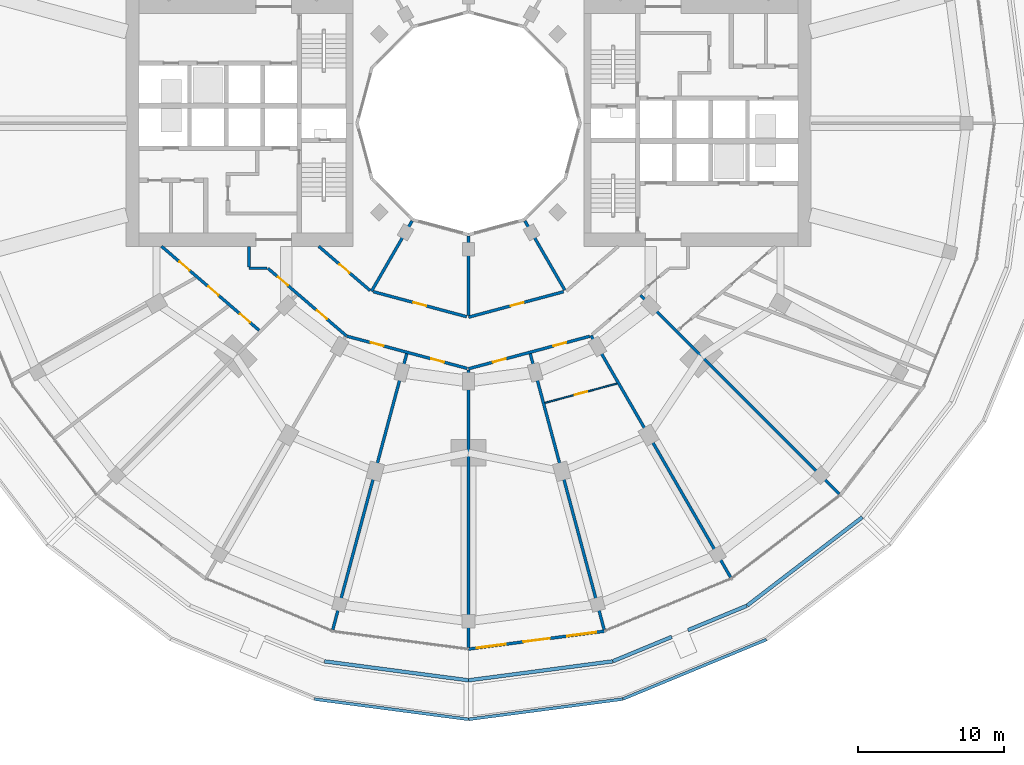
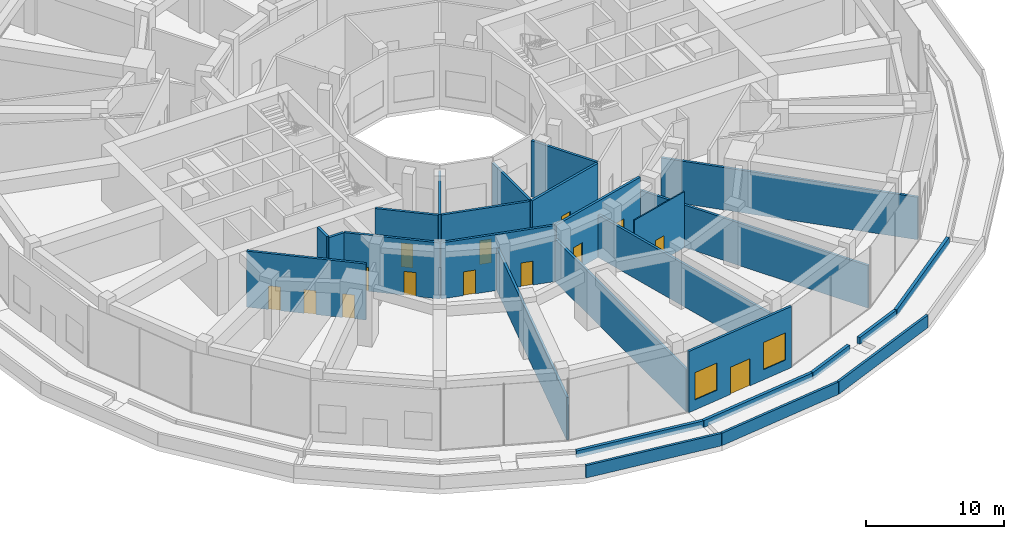
# One storey, part 17 of 26: 27 walls, 14 doors, 2 windows, 16 openings.
"""IFC4 building model written with IfcOpenShell, lengths in metres."""

from ifc_helpers import new_model, si_unit, direction, frame, frame_2d, origin, place, context, subcontext, project, spatial, rectangle, extrude, material, layer, layer_set, type_object, element, fill, save


model = new_model("IFC4")

# Units and contexts
model_context = context("Model", 3, precision=1e-05, world=origin(), true_north=direction((0.0, 1.0)))
body_context = subcontext(model_context, "Body", "Model", "MODEL_VIEW")
ifc_project = project(units=[si_unit("LENGTHUNIT", "METRE"), si_unit("AREAUNIT", "SQUARE_METRE"), si_unit("VOLUMEUNIT", "CUBIC_METRE"), si_unit("PLANEANGLEUNIT", "RADIAN"), si_unit("MASSUNIT", "GRAM", prefix="KILO")], contexts=[model_context])

# Site, building, storey
site_placement = place(None, origin())
site = spatial("IfcSite", under=ifc_project, at=site_placement, CompositionType="ELEMENT")
building_placement = place(site_placement, origin())
building = spatial("IfcBuilding", under=site, at=building_placement, Name="Torre Brocal", CompositionType="ELEMENT")
storey_placement = place(building_placement, frame((0.0, 0.0, 12.39990234375)))
storey = spatial("IfcBuildingStorey", under=building, at=storey_placement, Name="L02", CompositionType="ELEMENT", Elevation=12.39990234375)

# Wall, openings, windows, door
ifc_material_1 = material(Name="Concrete C40", Category="concrete")
ifc_layer_1 = layer(ifc_material_1, 0.199951171875)
ifc_layer_set_1 = layer_set([ifc_layer_1], Name="Concrete C40")
wall_type_1 = type_object("IfcWallType", Name="EXTERNAL WALL 200", PredefinedType="NOTDEFINED", material=ifc_layer_set_1)
wall_1_placement = place(storey_placement, frame((80.0, 39.100830078125, 0.0), z_axis=(0.0, 0.0, 1.0), x_axis=(0.99144586971, 0.130518532918, 0.0)))
wall_1 = element("IfcWall", 1, at=wall_1_placement, inside=storey, type_object=wall_type_1, Name="EXTERNAL WALL", PredefinedType="NOTDEFINED", context=body_context, shape_type="SweptSolid", body=[
    extrude(rectangle(XDim=9.371337890625, YDim=0.199951171875, at=frame_2d((4.685546875, 0.0))), origin(), (0.0, 0.0, 1.0), 5.400146484375),
])
opening_1_placement = place(wall_1_placement, frame((0.56201171875, 0.0, 0.89990234375)))
opening_1 = element("IfcOpeningElement", 2, at=opening_1_placement, cuts=wall_1, Name="Opening W2", PredefinedType="OPENING", context=body_context, shape_type="SweptSolid", body=[
    extrude(rectangle(XDim=2.0, YDim=2.39990234375, at=frame_2d((1.0, 1.199951171875))), frame((0.0, 0.10986328125, 0.0), z_axis=(0.0, -1.0, 0.0), x_axis=(1.0, 0.0, 0.0)), (0.0, 0.0, 1.0), 0.219970703125),
])
opening_2_placement = place(wall_1_placement, frame((3.785888671875, 0.0, 0.0)))
opening_2 = element("IfcOpeningElement", 3, at=opening_2_placement, cuts=wall_1, Name="Opening L02-E07", PredefinedType="OPENING", context=body_context, shape_type="SweptSolid", body=[
    extrude(rectangle(XDim=1.800048828125, YDim=2.39990234375, at=frame_2d((0.89990234375, 1.199951171875))), frame((0.0, 0.10986328125, 0.0), z_axis=(0.0, -1.0, 0.0), x_axis=(1.0, 0.0, 0.0)), (0.0, 0.0, 1.0), 0.219970703125),
])
opening_3_placement = place(wall_1_placement, frame((6.8095703125, 0.0, 0.89990234375)))
opening_3 = element("IfcOpeningElement", 4, at=opening_3_placement, cuts=wall_1, Name="Opening W2", PredefinedType="OPENING", context=body_context, shape_type="SweptSolid", body=[
    extrude(rectangle(XDim=2.0, YDim=2.39990234375, at=frame_2d((1.0, 1.199951171875))), frame((0.0, 0.10986328125, 0.0), z_axis=(0.0, -1.0, 0.0), x_axis=(1.0, 0.0, 0.0)), (0.0, 0.0, 1.0), 0.219970703125),
])
ifc_material_2 = material(Name="Aluminium and glass", Category="aluminium")
window_type = type_object("IfcWindowType", Name="PODIUM WINDOW 2000X2400", PartitioningType="SINGLE_PANEL", PredefinedType="WINDOW", material=ifc_material_2)
window_1_placement = place(opening_1_placement, origin())
window_1 = element("IfcWindow", 5, at=window_1_placement, inside=storey, type_object=window_type, Name="PODIUM WINDOW 2000X2400", OverallHeight=2.39990234375, OverallWidth=2.0, PartitioningType="SINGLE_PANEL", PredefinedType="WINDOW", context=body_context, shape_type="SweptSolid", body=[
    extrude(rectangle(XDim=2.0, YDim=2.39990234375, at=frame_2d((1.0, 1.199951171875))), frame((0.0, 0.030029296875, 0.0), z_axis=(0.0, -1.0, 0.0), x_axis=(1.0, 0.0, 0.0)), (0.0, 0.0, 1.0), 0.06005859375),
])
fill(opening_1, window_1)
window_2_placement = place(opening_3_placement, origin())
window_2 = element("IfcWindow", 6, at=window_2_placement, inside=storey, type_object=window_type, Name="PODIUM WINDOW 2000X2400", OverallHeight=2.39990234375, OverallWidth=2.0, PartitioningType="SINGLE_PANEL", PredefinedType="WINDOW", context=body_context, shape_type="SweptSolid", body=[
    extrude(rectangle(XDim=2.0, YDim=2.39990234375, at=frame_2d((1.0, 1.199951171875))), frame((0.0, 0.030029296875, 0.0), z_axis=(0.0, -1.0, 0.0), x_axis=(1.0, 0.0, 0.0)), (0.0, 0.0, 1.0), 0.06005859375),
])
fill(opening_3, window_2)
ifc_material_3 = material(Name="Aluminium and glass", Category="aluminium")
door_type_1 = type_object("IfcDoorType", Name="TERRACE DOUBLE DOOR 1800X2400", OperationType="DOUBLE_DOOR_SINGLE_SWING", PredefinedType="DOOR", material=ifc_material_3)
door_1_placement = place(opening_2_placement, frame((1.800048828125, 0.0, 0.0), z_axis=(0.0, 0.0, 1.0), x_axis=(-1.0, 0.0, 0.0)))
door_1 = element("IfcDoor", 7, at=door_1_placement, inside=storey, type_object=door_type_1, Name="DOOR L02-E07", OperationType="DOUBLE_DOOR_SINGLE_SWING", OverallHeight=2.39990234375, OverallWidth=1.800048828125, PredefinedType="DOOR", context=body_context, shape_type="SweptSolid", body=[
    extrude(rectangle(XDim=1.800048828125, YDim=2.39990234375, at=frame_2d((0.89990234375, 1.199951171875))), frame((0.0, 0.02490234375, 0.0), z_axis=(0.0, -1.0, 0.0), x_axis=(1.0, 0.0, 0.0)), (0.0, 0.0, 1.0), 0.050048828125),
])
fill(opening_2, door_1)

# Walls
ifc_material_4 = material(Name="Concrete C40", Category="concrete")
ifc_layer_2 = layer(ifc_material_4, 0.199951171875)
ifc_layer_set_2 = layer_set([ifc_layer_2], Name="Concrete C40")
wall_type_2 = type_object("IfcWallType", Name="PARAPET WALL 200 THICK 1100 HIGH", PredefinedType="PARAPET", material=ifc_layer_set_2)
wall_2_placement = place(storey_placement, frame((100.33642578125, 39.75, 0.0), z_axis=(0.0, 0.0, 1.0), x_axis=(-0.923876443197, -0.382690890544, 0.0)))
element("IfcWall", 8, at=wall_2_placement, inside=storey, type_object=wall_type_2, Name="PARAPET WALL 5", PredefinedType="PARAPET", context=body_context, shape_type="SweptSolid", body=[
    extrude(rectangle(XDim=10.59765625, YDim=0.199951171875, at=frame_2d((5.298828125, 0.0))), origin(), (0.0, 0.0, 1.0), 1.10009765625),
])
for number, where, z_axis, x_axis, name in (
    (9, (90.520263671875, 35.6875, 0.0), (0.0, 0.0, 1.0), (-0.991445040811, -0.130524829249, 0.0), "PARAPET WALL 6"),
    (10, (79.987060546875, 34.30419921875, 0.0), (0.0, 0.0, 1.0), (-0.991445040811, 0.130524829249, 0.0), "PARAPET WALL 7"),
):
    element("IfcWall", number, at=place(storey_placement, frame(where, z_axis=z_axis, x_axis=x_axis)), inside=storey, type_object=wall_type_2, Name=name, PredefinedType="PARAPET", context=body_context, shape_type="SweptSolid", body=[
        extrude(rectangle(XDim=10.597900390625, YDim=0.199951171875, at=frame_2d((5.298828125, 0.0))), origin(), (0.0, 0.0, 1.0), 1.10009765625),
    ])

# Wall, opening, door
ifc_material_5 = material(Name="Gypsum board", Category="Gypsum")
ifc_layer_3 = layer(ifc_material_5, 0.10009765625)
ifc_layer_set_3 = layer_set([ifc_layer_3], Name="Gypsum board")
wall_type_3 = type_object("IfcWallType", Name="PARTITION 100", PredefinedType="PARTITIONING", material=ifc_layer_set_3)
wall_3_placement = place(storey_placement, frame((85.218505859375, 55.911865234375, 0.0), z_axis=(0.0, 0.0, 1.0), x_axis=(0.965935852711, 0.258781623087, 0.0)))
wall_3 = element("IfcWall", 11, at=wall_3_placement, inside=storey, type_object=wall_type_3, Name="ROOM PARTITION", PredefinedType="PARTITIONING", context=body_context, shape_type="SweptSolid", body=[
    extrude(rectangle(XDim=5.091552734375, YDim=0.10009765625, at=frame_2d((2.5458984375, 0.0))), origin(), (0.0, 0.0, 1.0), 4.9501953125),
])
opening_4_placement = place(wall_3_placement, frame((2.100830078125, 0.0, 0.0)))
opening_4 = element("IfcOpeningElement", 12, at=opening_4_placement, cuts=wall_3, Name="Opening PD2-D28", PredefinedType="OPENING", context=body_context, shape_type="SweptSolid", body=[
    extrude(rectangle(XDim=0.89990234375, YDim=2.10009765625, at=frame_2d((0.449951171875, 1.050048828125))), frame((0.0, 0.06005859375, 0.0), z_axis=(0.0, -1.0, 0.0), x_axis=(1.0, 0.0, 0.0)), (0.0, 0.0, 1.0), 0.1201171875),
])
ifc_material_6 = material(Name="Timber", Category="wood")
door_type_2 = type_object("IfcDoorType", Name="ROOM DOOR 900X2100", OperationType="SINGLE_SWING_LEFT", PredefinedType="DOOR", material=ifc_material_6)
door_2_placement = place(opening_4_placement, frame((0.89990234375, 0.0, 0.0), z_axis=(0.0, 0.0, 1.0), x_axis=(-1.0, 0.0, 0.0)))
door_2 = element("IfcDoor", 13, at=door_2_placement, inside=storey, type_object=door_type_2, Name="PD2-D28", OperationType="SINGLE_SWING_RIGHT", OverallHeight=2.10009765625, OverallWidth=0.89990234375, PredefinedType="DOOR", context=body_context, shape_type="SweptSolid", body=[
    extrude(rectangle(XDim=0.89990234375, YDim=2.10009765625, at=frame_2d((0.449951171875, 1.050048828125))), frame((0.0, 0.02490234375, 0.0), z_axis=(0.0, -1.0, 0.0), x_axis=(1.0, 0.0, 0.0)), (0.0, 0.0, 1.0), 0.050048828125),
])
fill(opening_4, door_2)

# Wall, openings, doors
ifc_material_7 = material(Name="Gypsum board", Category="Gypsum")
ifc_layer_4 = layer(ifc_material_7, 0.199951171875)
ifc_layer_set_4 = layer_set([ifc_layer_4], Name="Gypsum board")
wall_type_4 = type_object("IfcWallType", Name="PARTITION 200 EI60", PredefinedType="PARTITIONING", material=ifc_layer_set_4)
wall_4_placement = place(storey_placement, frame((59.041259765625, 66.600341796875, 0.0), z_axis=(0.0, 0.0, 1.0), x_axis=(0.757842003705, -0.652438117695, 0.0)))
wall_4 = element("IfcWall", 14, at=wall_4_placement, inside=storey, type_object=wall_type_4, Name="PLANT ROOM WALL", PredefinedType="PARTITIONING", context=body_context, shape_type="SweptSolid", body=[
    extrude(rectangle(XDim=8.794677734375, YDim=0.199951171875, at=frame_2d((4.3974609375, 0.0))), origin(), (0.0, 0.0, 1.0), 4.9501953125),
])
opening_5_placement = place(wall_4_placement, frame((1.614013671875, 0.0, 0.0)))
opening_5 = element("IfcOpeningElement", 15, at=opening_5_placement, cuts=wall_4, Name="Opening PD2-D33", PredefinedType="OPENING", context=body_context, shape_type="SweptSolid", body=[
    extrude(rectangle(XDim=0.89990234375, YDim=2.10009765625, at=frame_2d((0.449951171875, 1.050048828125))), frame((0.0, 0.10986328125, 0.0), z_axis=(0.0, -1.0, 0.0), x_axis=(1.0, 0.0, 0.0)), (0.0, 0.0, 1.0), 0.219970703125),
])
opening_6_placement = place(wall_4_placement, frame((4.2216796875, 0.0, 0.0)))
opening_6 = element("IfcOpeningElement", 16, at=opening_6_placement, cuts=wall_4, Name="Opening PD2-D34", PredefinedType="OPENING", context=body_context, shape_type="SweptSolid", body=[
    extrude(rectangle(XDim=0.89990234375, YDim=2.10009765625, at=frame_2d((0.449951171875, 1.050048828125))), frame((0.0, 0.10986328125, 0.0), z_axis=(0.0, -1.0, 0.0), x_axis=(1.0, 0.0, 0.0)), (0.0, 0.0, 1.0), 0.219970703125),
])
opening_7_placement = place(wall_4_placement, frame((7.06103515625, 0.0, 0.0)))
opening_7 = element("IfcOpeningElement", 17, at=opening_7_placement, cuts=wall_4, Name="Opening PD2-D35", PredefinedType="OPENING", context=body_context, shape_type="SweptSolid", body=[
    extrude(rectangle(XDim=0.89990234375, YDim=2.10009765625, at=frame_2d((0.449951171875, 1.050048828125))), frame((0.0, 0.10986328125, 0.0), z_axis=(0.0, -1.0, 0.0), x_axis=(1.0, 0.0, 0.0)), (0.0, 0.0, 1.0), 0.219970703125),
])
door_3_placement = place(opening_5_placement, frame((0.89990234375, 0.0, 0.0), z_axis=(0.0, 0.0, 1.0), x_axis=(-1.0, 0.0, 0.0)))
door_3 = element("IfcDoor", 18, at=door_3_placement, inside=storey, type_object=door_type_2, Name="PD2-D33", OperationType="SINGLE_SWING_LEFT", OverallHeight=2.10009765625, OverallWidth=0.89990234375, PredefinedType="DOOR", context=body_context, shape_type="SweptSolid", body=[
    extrude(rectangle(XDim=0.89990234375, YDim=2.10009765625, at=frame_2d((0.449951171875, 1.050048828125))), frame((0.0, 0.02490234375, 0.0), z_axis=(0.0, -1.0, 0.0), x_axis=(1.0, 0.0, 0.0)), (0.0, 0.0, 1.0), 0.050048828125),
])
fill(opening_5, door_3)
door_4_placement = place(opening_6_placement, frame((0.89990234375, 0.0, 0.0), z_axis=(0.0, 0.0, 1.0), x_axis=(-1.0, 0.0, 0.0)))
door_4 = element("IfcDoor", 19, at=door_4_placement, inside=storey, type_object=door_type_2, Name="PD2-D34", OperationType="SINGLE_SWING_LEFT", OverallHeight=2.10009765625, OverallWidth=0.89990234375, PredefinedType="DOOR", context=body_context, shape_type="SweptSolid", body=[
    extrude(rectangle(XDim=0.89990234375, YDim=2.10009765625, at=frame_2d((0.449951171875, 1.050048828125))), frame((0.0, 0.02490234375, 0.0), z_axis=(0.0, -1.0, 0.0), x_axis=(1.0, 0.0, 0.0)), (0.0, 0.0, 1.0), 0.050048828125),
])
fill(opening_6, door_4)
door_5_placement = place(opening_7_placement, frame((0.89990234375, 0.0, 0.0), z_axis=(0.0, 0.0, 1.0), x_axis=(-1.0, 0.0, 0.0)))
door_5 = element("IfcDoor", 20, at=door_5_placement, inside=storey, type_object=door_type_2, Name="PD2-D35", OperationType="SINGLE_SWING_LEFT", OverallHeight=2.10009765625, OverallWidth=0.89990234375, PredefinedType="DOOR", context=body_context, shape_type="SweptSolid", body=[
    extrude(rectangle(XDim=0.89990234375, YDim=2.10009765625, at=frame_2d((0.449951171875, 1.050048828125))), frame((0.0, 0.02490234375, 0.0), z_axis=(0.0, -1.0, 0.0), x_axis=(1.0, 0.0, 0.0)), (0.0, 0.0, 1.0), 0.050048828125),
])
fill(opening_7, door_5)

# Walls
wall_5_placement = place(storey_placement, frame((65.0, 65.199951171875, 0.0), z_axis=(0.0, 0.0, 1.0), x_axis=(0.0, 1.0, 0.0)))
element("IfcWall", 21, at=wall_5_placement, inside=storey, type_object=wall_type_4, Name="CORRIDOR WALL", PredefinedType="PARTITIONING", context=body_context, shape_type="SweptSolid", body=[
    extrude(rectangle(XDim=1.399169921875, YDim=0.199951171875, at=frame_2d((0.69970703125, 0.0))), origin(), (0.0, 0.0, 1.0), 4.9501953125),
])
wall_6_placement = place(storey_placement, frame((65.0, 65.10009765625, 0.0), z_axis=(0.0, 0.0, 1.0), x_axis=(1.0, 0.0, 0.0)))
element("IfcWall", 22, at=wall_6_placement, inside=storey, type_object=wall_type_4, Name="CORRIDOR WALL", PredefinedType="PARTITIONING", context=body_context, shape_type="SweptSolid", body=[
    extrude(rectangle(XDim=1.241943359375, YDim=0.199951171875, at=frame_2d((0.62109375, 0.0))), origin(), (0.0, 0.0, 1.0), 4.9501953125),
])

# Wall, openings, doors
wall_7_placement = place(storey_placement, frame((66.30224609375, 65.10009765625, 0.0), z_axis=(0.0, 0.0, 1.0), x_axis=(0.757895579626, -0.652375881209, 0.0)))
wall_7 = element("IfcWall", 23, at=wall_7_placement, inside=storey, type_object=wall_type_4, Name="CORRIDOR WALL", PredefinedType="PARTITIONING", context=body_context, shape_type="SweptSolid", body=[
    extrude(rectangle(XDim=7.0615234375, YDim=0.199951171875, at=frame_2d((3.53076171875, 0.0))), origin(), (0.0, 0.0, 1.0), 4.9501953125),
])
opening_8_placement = place(wall_7_placement, frame((4.414306640625, 0.0, 0.0)))
opening_8 = element("IfcOpeningElement", 24, at=opening_8_placement, cuts=wall_7, Name="Opening PD2-D32", PredefinedType="OPENING", context=body_context, shape_type="SweptSolid", body=[
    extrude(rectangle(XDim=0.89990234375, YDim=2.10009765625, at=frame_2d((0.449951171875, 1.050048828125))), frame((0.0, 0.10986328125, 0.0), z_axis=(0.0, -1.0, 0.0), x_axis=(1.0, 0.0, 0.0)), (0.0, 0.0, 1.0), 0.219970703125),
])
opening_9_placement = place(wall_7_placement, frame((0.906005859375, 0.0, 0.0)))
opening_9 = element("IfcOpeningElement", 25, at=opening_9_placement, cuts=wall_7, Name="Opening PD2-D36", PredefinedType="OPENING", context=body_context, shape_type="SweptSolid", body=[
    extrude(rectangle(XDim=0.89990234375, YDim=2.10009765625, at=frame_2d((0.449951171875, 1.050048828125))), frame((0.0, 0.10986328125, 0.0), z_axis=(0.0, -1.0, 0.0), x_axis=(1.0, 0.0, 0.0)), (0.0, 0.0, 1.0), 0.219970703125),
])
door_6_placement = place(opening_8_placement, frame((0.89990234375, 0.0, 0.0), z_axis=(0.0, 0.0, 1.0), x_axis=(-1.0, 0.0, 0.0)))
door_6 = element("IfcDoor", 26, at=door_6_placement, inside=storey, type_object=door_type_2, Name="PD2-D32", OperationType="SINGLE_SWING_RIGHT", OverallHeight=2.10009765625, OverallWidth=0.89990234375, PredefinedType="DOOR", context=body_context, shape_type="SweptSolid", body=[
    extrude(rectangle(XDim=0.89990234375, YDim=2.10009765625, at=frame_2d((0.449951171875, 1.050048828125))), frame((0.0, 0.02490234375, 0.0), z_axis=(0.0, -1.0, 0.0), x_axis=(1.0, 0.0, 0.0)), (0.0, 0.0, 1.0), 0.050048828125),
])
fill(opening_8, door_6)
door_7_placement = place(opening_9_placement, frame((0.89990234375, 0.0, 0.0), z_axis=(0.0, 0.0, 1.0), x_axis=(-1.0, 0.0, 0.0)))
door_7 = element("IfcDoor", 27, at=door_7_placement, inside=storey, type_object=door_type_2, Name="PD2-D36", OperationType="SINGLE_SWING_LEFT", OverallHeight=2.10009765625, OverallWidth=0.89990234375, PredefinedType="DOOR", context=body_context, shape_type="SweptSolid", body=[
    extrude(rectangle(XDim=0.89990234375, YDim=2.10009765625, at=frame_2d((0.449951171875, 1.050048828125))), frame((0.0, 0.02490234375, 0.0), z_axis=(0.0, -1.0, 0.0), x_axis=(1.0, 0.0, 0.0)), (0.0, 0.0, 1.0), 0.050048828125),
])
fill(opening_9, door_7)

# Wall, opening, door
wall_8_placement = place(storey_placement, frame((69.77099609375, 66.60009765625, 0.0), z_axis=(0.0, 0.0, 1.0), x_axis=(0.758040611529, -0.652207352974, 0.0)))
wall_8 = element("IfcWall", 28, at=wall_8_placement, inside=storey, type_object=wall_type_4, Name="CORRIDOR WALL", PredefinedType="PARTITIONING", context=body_context, shape_type="SweptSolid", body=[
    extrude(rectangle(XDim=4.625244140625, YDim=0.199951171875, at=frame_2d((2.3125, 0.0))), origin(), (0.0, 0.0, 1.0), 4.9501953125),
])
opening_10_placement = place(wall_8_placement, frame((1.887451171875, 0.0, 0.0)))
opening_10 = element("IfcOpeningElement", 29, at=opening_10_placement, cuts=wall_8, Name="Opening PD2-D40", PredefinedType="OPENING", context=body_context, shape_type="SweptSolid", body=[
    extrude(rectangle(XDim=0.89990234375, YDim=2.10009765625, at=frame_2d((0.449951171875, 1.050048828125))), frame((0.0, 0.10986328125, 0.0), z_axis=(0.0, -1.0, 0.0), x_axis=(1.0, 0.0, 0.0)), (0.0, 0.0, 1.0), 0.219970703125),
])
door_8_placement = place(opening_10_placement, origin())
door_8 = element("IfcDoor", 30, at=door_8_placement, inside=storey, type_object=door_type_2, Name="PD2-D40", OperationType="SINGLE_SWING_LEFT", OverallHeight=2.10009765625, OverallWidth=0.89990234375, PredefinedType="DOOR", context=body_context, shape_type="SweptSolid", body=[
    extrude(rectangle(XDim=0.89990234375, YDim=2.10009765625, at=frame_2d((0.449951171875, 1.050048828125))), frame((0.0, 0.02490234375, 0.0), z_axis=(0.0, -1.0, 0.0), x_axis=(1.0, 0.0, 0.0)), (0.0, 0.0, 1.0), 0.050048828125),
])
fill(opening_10, door_8)

# Wall, openings, doors
wall_9_placement = place(storey_placement, frame((71.68505859375, 60.46826171875, 0.0), z_axis=(0.0, 0.0, 1.0), x_axis=(0.96590736437, -0.258887936097, 0.0)))
wall_9 = element("IfcWall", 31, at=wall_9_placement, inside=storey, type_object=wall_type_4, Name="FLAT ENTRANCE WALL", PredefinedType="PARTITIONING", context=body_context, shape_type="SweptSolid", body=[
    extrude(rectangle(XDim=8.5185546875, YDim=0.199951171875, at=frame_2d((4.25927734375, 0.0))), origin(), (0.0, 0.0, 1.0), 4.9501953125),
])
opening_11_placement = place(wall_9_placement, frame((5.9794921875, 0.0, 0.0)))
opening_11 = element("IfcOpeningElement", 32, at=opening_11_placement, cuts=wall_9, Name="Opening PD2-D30", PredefinedType="OPENING", context=body_context, shape_type="SweptSolid", body=[
    extrude(rectangle(XDim=0.89990234375, YDim=2.10009765625, at=frame_2d((0.449951171875, 1.050048828125))), frame((0.0, 0.10986328125, 0.0), z_axis=(0.0, -1.0, 0.0), x_axis=(1.0, 0.0, 0.0)), (0.0, 0.0, 1.0), 0.219970703125),
])
opening_12_placement = place(wall_9_placement, frame((1.695068359375, 0.0, 0.0)))
opening_12 = element("IfcOpeningElement", 33, at=opening_12_placement, cuts=wall_9, Name="Opening PD2-D31", PredefinedType="OPENING", context=body_context, shape_type="SweptSolid", body=[
    extrude(rectangle(XDim=0.89990234375, YDim=2.10009765625, at=frame_2d((0.449951171875, 1.050048828125))), frame((0.0, 0.10986328125, 0.0), z_axis=(0.0, -1.0, 0.0), x_axis=(1.0, 0.0, 0.0)), (0.0, 0.0, 1.0), 0.219970703125),
])
door_9_placement = place(opening_11_placement, frame((0.89990234375, 0.0, 0.0), z_axis=(0.0, 0.0, 1.0), x_axis=(-1.0, 0.0, 0.0)))
door_9 = element("IfcDoor", 34, at=door_9_placement, inside=storey, type_object=door_type_2, Name="PD2-D30", OperationType="SINGLE_SWING_RIGHT", OverallHeight=2.10009765625, OverallWidth=0.89990234375, PredefinedType="DOOR", context=body_context, shape_type="SweptSolid", body=[
    extrude(rectangle(XDim=0.89990234375, YDim=2.10009765625, at=frame_2d((0.449951171875, 1.050048828125))), frame((0.0, 0.02490234375, 0.0), z_axis=(0.0, -1.0, 0.0), x_axis=(1.0, 0.0, 0.0)), (0.0, 0.0, 1.0), 0.050048828125),
])
fill(opening_11, door_9)
door_10_placement = place(opening_12_placement, frame((0.89990234375, 0.0, 0.0), z_axis=(0.0, 0.0, 1.0), x_axis=(-1.0, 0.0, 0.0)))
door_10 = element("IfcDoor", 35, at=door_10_placement, inside=storey, type_object=door_type_2, Name="PD2-D31", OperationType="SINGLE_SWING_LEFT", OverallHeight=2.10009765625, OverallWidth=0.89990234375, PredefinedType="DOOR", context=body_context, shape_type="SweptSolid", body=[
    extrude(rectangle(XDim=0.89990234375, YDim=2.10009765625, at=frame_2d((0.449951171875, 1.050048828125))), frame((0.0, 0.02490234375, 0.0), z_axis=(0.0, -1.0, 0.0), x_axis=(1.0, 0.0, 0.0)), (0.0, 0.0, 1.0), 0.050048828125),
])
fill(opening_12, door_10)

# Wall, opening, door
wall_10_placement = place(storey_placement, frame((73.49853515625, 63.501953125, 0.0), z_axis=(0.0, 0.0, 1.0), x_axis=(0.965923617359, -0.258827288799, 0.0)))
wall_10 = element("IfcWall", 36, at=wall_10_placement, inside=storey, type_object=wall_type_4, Name="CORRIDOR WALL", PredefinedType="PARTITIONING", context=body_context, shape_type="SweptSolid", body=[
    extrude(rectangle(XDim=6.600830078125, YDim=0.199951171875, at=frame_2d((3.30029296875, 0.0))), origin(), (0.0, 0.0, 1.0), 4.9501953125),
])
opening_13_placement = place(wall_10_placement, frame((2.843994140625, 0.0, 0.0)))
opening_13 = element("IfcOpeningElement", 37, at=opening_13_placement, cuts=wall_10, Name="Opening PD2-D39", PredefinedType="OPENING", context=body_context, shape_type="SweptSolid", body=[
    extrude(rectangle(XDim=0.89990234375, YDim=2.10009765625, at=frame_2d((0.449951171875, 1.050048828125))), frame((0.0, 0.10986328125, 0.0), z_axis=(0.0, -1.0, 0.0), x_axis=(1.0, 0.0, 0.0)), (0.0, 0.0, 1.0), 0.219970703125),
])
door_11_placement = place(opening_13_placement, origin())
door_11 = element("IfcDoor", 38, at=door_11_placement, inside=storey, type_object=door_type_2, Name="PD2-D39", OperationType="SINGLE_SWING_LEFT", OverallHeight=2.10009765625, OverallWidth=0.89990234375, PredefinedType="DOOR", context=body_context, shape_type="SweptSolid", body=[
    extrude(rectangle(XDim=0.89990234375, YDim=2.10009765625, at=frame_2d((0.449951171875, 1.050048828125))), frame((0.0, 0.02490234375, 0.0), z_axis=(0.0, -1.0, 0.0), x_axis=(1.0, 0.0, 0.0)), (0.0, 0.0, 1.0), 0.050048828125),
])
fill(opening_13, door_11)

# Wall
wall_11_placement = place(storey_placement, frame((73.37939453125, 63.5341796875, 0.0), z_axis=(0.0, 0.0, 1.0), x_axis=(0.500033892615, 0.86600583499, 0.0)))
element("IfcWall", 39, at=wall_11_placement, inside=storey, type_object=wall_type_4, Name="SERVICE ROOM WALL", PredefinedType="PARTITIONING", context=body_context, shape_type="SweptSolid", body=[
    extrude(rectangle(XDim=5.54150390625, YDim=0.199951171875, at=frame_2d((2.770751953125, 0.0))), origin(), (0.0, 0.0, 1.0), 4.9501953125),
])

# Wall, openings, doors
wall_12_placement = place(storey_placement, frame((80.0, 58.240234375, 0.0), z_axis=(0.0, 0.0, 1.0), x_axis=(0.965945381016, 0.258746054836, 0.0)))
wall_12 = element("IfcWall", 40, at=wall_12_placement, inside=storey, type_object=wall_type_4, Name="CORRIDOR WALL", PredefinedType="PARTITIONING", context=body_context, shape_type="SweptSolid", body=[
    extrude(rectangle(XDim=8.568359375, YDim=0.199951171875, at=frame_2d((4.2841796875, 0.0))), origin(), (0.0, 0.0, 1.0), 4.9501953125),
])
opening_14_placement = place(wall_12_placement, frame((6.01318359375, 0.0, 0.0)))
opening_14 = element("IfcOpeningElement", 41, at=opening_14_placement, cuts=wall_12, Name="Opening PD2-D27", PredefinedType="OPENING", context=body_context, shape_type="SweptSolid", body=[
    extrude(rectangle(XDim=0.89990234375, YDim=2.10009765625, at=frame_2d((0.449951171875, 1.050048828125))), frame((0.0, 0.10986328125, 0.0), z_axis=(0.0, -1.0, 0.0), x_axis=(1.0, 0.0, 0.0)), (0.0, 0.0, 1.0), 0.219970703125),
])
opening_15_placement = place(wall_12_placement, frame((1.728759765625, 0.0, 0.0)))
opening_15 = element("IfcOpeningElement", 42, at=opening_15_placement, cuts=wall_12, Name="Opening PD2-D29", PredefinedType="OPENING", context=body_context, shape_type="SweptSolid", body=[
    extrude(rectangle(XDim=0.89990234375, YDim=2.10009765625, at=frame_2d((0.449951171875, 1.050048828125))), frame((0.0, 0.10986328125, 0.0), z_axis=(0.0, -1.0, 0.0), x_axis=(1.0, 0.0, 0.0)), (0.0, 0.0, 1.0), 0.219970703125),
])
door_12_placement = place(opening_14_placement, frame((0.89990234375, 0.0, 0.0), z_axis=(0.0, 0.0, 1.0), x_axis=(-1.0, 0.0, 0.0)))
door_12 = element("IfcDoor", 43, at=door_12_placement, inside=storey, type_object=door_type_2, Name="PD2-D27", OperationType="SINGLE_SWING_RIGHT", OverallHeight=2.10009765625, OverallWidth=0.89990234375, PredefinedType="DOOR", context=body_context, shape_type="SweptSolid", body=[
    extrude(rectangle(XDim=0.89990234375, YDim=2.10009765625, at=frame_2d((0.449951171875, 1.050048828125))), frame((0.0, 0.02490234375, 0.0), z_axis=(0.0, -1.0, 0.0), x_axis=(1.0, 0.0, 0.0)), (0.0, 0.0, 1.0), 0.050048828125),
])
fill(opening_14, door_12)
door_13_placement = place(opening_15_placement, frame((0.89990234375, 0.0, 0.0), z_axis=(0.0, 0.0, 1.0), x_axis=(-1.0, 0.0, 0.0)))
door_13 = element("IfcDoor", 44, at=door_13_placement, inside=storey, type_object=door_type_2, Name="PD2-D29", OperationType="SINGLE_SWING_LEFT", OverallHeight=2.10009765625, OverallWidth=0.89990234375, PredefinedType="DOOR", context=body_context, shape_type="SweptSolid", body=[
    extrude(rectangle(XDim=0.89990234375, YDim=2.10009765625, at=frame_2d((0.449951171875, 1.050048828125))), frame((0.0, 0.02490234375, 0.0), z_axis=(0.0, -1.0, 0.0), x_axis=(1.0, 0.0, 0.0)), (0.0, 0.0, 1.0), 0.050048828125),
])
fill(opening_15, door_13)

# Wall
wall_13_placement = place(storey_placement, frame((80.0, 61.889892578125, 0.0), z_axis=(0.0, 0.0, 1.0), x_axis=(0.0, 1.0, 0.0)))
element("IfcWall", 45, at=wall_13_placement, inside=storey, type_object=wall_type_4, Name="SERVICE ROOM WALL", PredefinedType="PARTITIONING", context=body_context, shape_type="SweptSolid", body=[
    extrude(rectangle(XDim=5.4111328125, YDim=0.199951171875, at=frame_2d((2.70556640625, 0.0))), origin(), (0.0, 0.0, 1.0), 4.9501953125),
])

# Wall, opening, door
wall_14_placement = place(storey_placement, frame((80.0, 61.760009765625, 0.0), z_axis=(0.0, 0.0, 1.0), x_axis=(0.965932810031, 0.258792980017, 0.0)))
wall_14 = element("IfcWall", 46, at=wall_14_placement, inside=storey, type_object=wall_type_4, Name="CORRIDOR WALL", PredefinedType="PARTITIONING", context=body_context, shape_type="SweptSolid", body=[
    extrude(rectangle(XDim=6.720703125, YDim=0.199951171875, at=frame_2d((3.3603515625, 0.0))), origin(), (0.0, 0.0, 1.0), 4.9501953125),
])
opening_16_placement = place(wall_14_placement, frame((2.986572265625, 0.0, 0.0)))
opening_16 = element("IfcOpeningElement", 47, at=opening_16_placement, cuts=wall_14, Name="Opening PD2-D38", PredefinedType="OPENING", context=body_context, shape_type="SweptSolid", body=[
    extrude(rectangle(XDim=0.89990234375, YDim=2.10009765625, at=frame_2d((0.449951171875, 1.050048828125))), frame((0.0, 0.10986328125, 0.0), z_axis=(0.0, -1.0, 0.0), x_axis=(1.0, 0.0, 0.0)), (0.0, 0.0, 1.0), 0.219970703125),
])
door_14_placement = place(opening_16_placement, origin())
door_14 = element("IfcDoor", 48, at=door_14_placement, inside=storey, type_object=door_type_2, Name="PD2-D38", OperationType="SINGLE_SWING_RIGHT", OverallHeight=2.10009765625, OverallWidth=0.89990234375, PredefinedType="DOOR", context=body_context, shape_type="SweptSolid", body=[
    extrude(rectangle(XDim=0.89990234375, YDim=2.10009765625, at=frame_2d((0.449951171875, 1.050048828125))), frame((0.0, 0.02490234375, 0.0), z_axis=(0.0, -1.0, 0.0), x_axis=(1.0, 0.0, 0.0)), (0.0, 0.0, 1.0), 0.050048828125),
])
fill(opening_16, door_14)

# Walls
wall_15_placement = place(storey_placement, frame((83.848876953125, 68.3330078125, 0.0), z_axis=(0.0, 0.0, 1.0), x_axis=(0.500006734102, -0.866021515814, 0.0)))
element("IfcWall", 49, at=wall_15_placement, inside=storey, type_object=wall_type_4, Name="SERVICE ROOM WALL", PredefinedType="PARTITIONING", context=body_context, shape_type="SweptSolid", body=[
    extrude(rectangle(XDim=5.45166015625, YDim=0.199951171875, at=frame_2d((2.725830078125, 0.0))), origin(), (0.0, 0.0, 1.0), 4.9501953125),
])
ifc_material_8 = material(Name="Gypsum board", Category="Gypsum")
ifc_layer_5 = layer(ifc_material_8, 0.199951171875)
ifc_layer_set_5 = layer_set([ifc_layer_5], Name="Gypsum board")
wall_type_5 = type_object("IfcWallType", Name="PARTITION 200 EI60 UNDER BEAM 1650", PredefinedType="PARTITIONING", material=ifc_layer_set_5)
wall_16_placement = place(storey_placement, frame((70.730712890625, 40.4228515625, 0.0), z_axis=(0.0, 0.0, 1.0), x_axis=(0.258907892745, 0.965902015255, 0.0)))
element("IfcWall", 50, at=wall_16_placement, inside=storey, type_object=wall_type_5, Name="PARTY PARTITION", PredefinedType="PARTITIONING", context=body_context, shape_type="SweptSolid", body=[
    extrude(rectangle(XDim=19.509033203125, YDim=0.199951171875, at=frame_2d((9.75439453125, 0.0))), origin(), (0.0, 0.0, 1.0), 3.75),
])
wall_17_placement = place(storey_placement, frame((80.0, 39.201904296875, 0.0), z_axis=(0.0, 0.0, 1.0), x_axis=(0.0, 1.0, 0.0)))
element("IfcWall", 51, at=wall_17_placement, inside=storey, type_object=wall_type_5, Name="PARTY PARTITION", PredefinedType="PARTITIONING", context=body_context, shape_type="SweptSolid", body=[
    extrude(rectangle(XDim=18.947998046875, YDim=0.199951171875, at=frame_2d((9.47412109375, 0.0))), origin(), (0.0, 0.0, 1.0), 3.75),
])
wall_18_placement = place(storey_placement, frame((84.215576171875, 59.26611328125, 0.0), z_axis=(0.0, 0.0, 1.0), x_axis=(0.258778620179, -0.965936657208, 0.0)))
element("IfcWall", 52, at=wall_18_placement, inside=storey, type_object=wall_type_5, Name="PARTY PARTITION", PredefinedType="PARTITIONING", context=body_context, shape_type="SweptSolid", body=[
    extrude(rectangle(XDim=19.50927734375, YDim=0.199951171875, at=frame_2d((9.754638671875, 0.0))), origin(), (0.0, 0.0, 1.0), 3.75),
])
wall_19_placement = place(storey_placement, frame((88.36474609375, 60.5107421875, 0.0), z_axis=(0.0, 0.0, 1.0), x_axis=(0.499977002299, -0.866038681106, 0.0)))
element("IfcWall", 53, at=wall_19_placement, inside=storey, type_object=wall_type_5, Name="PARTY PARTITION", PredefinedType="PARTITIONING", context=body_context, shape_type="SweptSolid", body=[
    extrude(rectangle(XDim=19.06787109375, YDim=0.199951171875, at=frame_2d((9.533935546875, 0.0))), origin(), (0.0, 0.0, 1.0), 3.75),
])
wall_20_placement = place(storey_placement, frame((91.73486328125, 63.26513671875, 0.0), z_axis=(0.0, 0.0, 1.0), x_axis=(0.707106781187, -0.707106781187, 0.0)))
element("IfcWall", 54, at=wall_20_placement, inside=storey, type_object=wall_type_5, Name="PARTY PARTITION", PredefinedType="PARTITIONING", context=body_context, shape_type="SweptSolid", body=[
    extrude(rectangle(XDim=19.203125, YDim=0.199951171875, at=frame_2d((9.6015625, 0.0))), origin(), (0.0, 0.0, 1.0), 3.75),
])
ifc_material_9 = material(Name="Concrete C35", Category="concrete")
ifc_layer_6 = layer(ifc_material_9, 0.25)
ifc_layer_set_6 = layer_set([ifc_layer_6], Name="Concrete C35")
wall_type_6 = type_object("IfcWallType", Name="PLANTER WALL 250 THICK 600 HIGH", PredefinedType="USERDEFINED", material=ifc_layer_set_6)
wall_21_placement = place(storey_placement, frame((80.0, 36.967529296875, 0.0), z_axis=(0.0, 0.0, 1.0), x_axis=(-0.991442554551, 0.130543713086, 0.0)))
element("IfcWall", 55, at=wall_21_placement, inside=storey, type_object=wall_type_6, Name="PLANTER", ObjectType="PLANTER", PredefinedType="USERDEFINED", context=body_context, shape_type="SweptSolid", body=[
    extrude(rectangle(XDim=9.911865234375, YDim=0.25, at=frame_2d((4.9560546875, 0.0))), origin(), (0.0, 0.0, 1.0), 0.60009765625),
])
wall_22_placement = place(storey_placement, frame((106.886474609375, 48.10205078125, 0.0), z_axis=(0.0, 0.0, 1.0), x_axis=(-0.79335196464, -0.608763221788, 0.0)))
element("IfcWall", 56, at=wall_22_placement, inside=storey, type_object=wall_type_6, Name="PLANTER", ObjectType="PLANTER", PredefinedType="USERDEFINED", context=body_context, shape_type="SweptSolid", body=[
    extrude(rectangle(XDim=9.90380859375, YDim=0.25, at=frame_2d((4.951904296875, 0.0))), origin(), (0.0, 0.0, 1.0), 0.60009765625),
])
for number, where, z_axis, x_axis, name in (
    (57, (99.0009765625, 42.056640625, 0.0), (0.0, 0.0, 1.0), (-0.923880639147, -0.382680760699, 0.0), "PLANTER"),
    (58, (93.87548828125, 39.93359375, 0.0), (0.0, 0.0, 1.0), (-0.923880639147, -0.382680760699, 0.0), "PLANTER"),
):
    element("IfcWall", number, at=place(storey_placement, frame(where, z_axis=z_axis, x_axis=x_axis)), inside=storey, type_object=wall_type_6, Name=name, ObjectType="PLANTER", PredefinedType="USERDEFINED", context=body_context, shape_type="SweptSolid", body=[
        extrude(rectangle(XDim=4.347900390625, YDim=0.25, at=frame_2d((2.173828125, 0.0))), origin(), (0.0, 0.0, 1.0), 0.60009765625),
    ])
wall_23_placement = place(storey_placement, frame((89.8271484375, 38.261474609375, 0.0), z_axis=(0.0, 0.0, 1.0), x_axis=(-0.99144464381, -0.130527844774, 0.0)))
element("IfcWall", 59, at=wall_23_placement, inside=storey, type_object=wall_type_6, Name="PLANTER", ObjectType="PLANTER", PredefinedType="USERDEFINED", context=body_context, shape_type="SweptSolid", body=[
    extrude(rectangle(XDim=9.90380859375, YDim=0.25, at=frame_2d((4.951904296875, 0.0))), origin(), (0.0, 0.0, 1.0), 0.60009765625),
])

save(model, "model.ifc")
